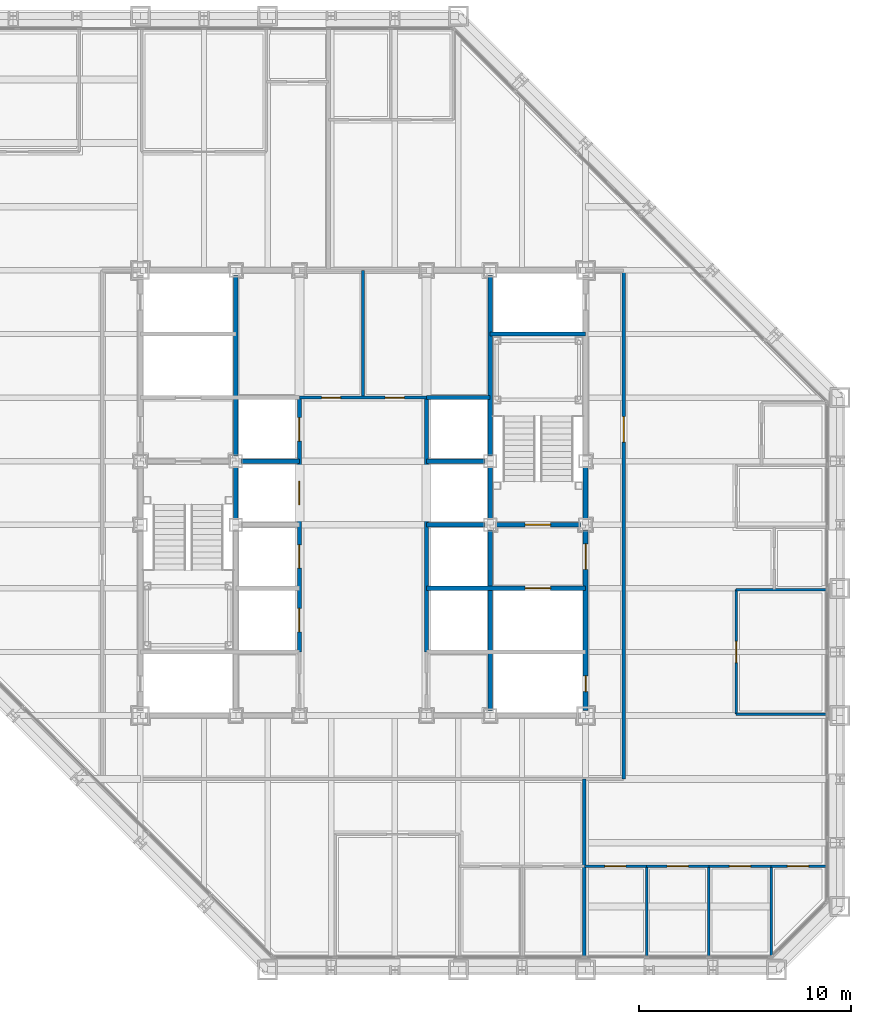
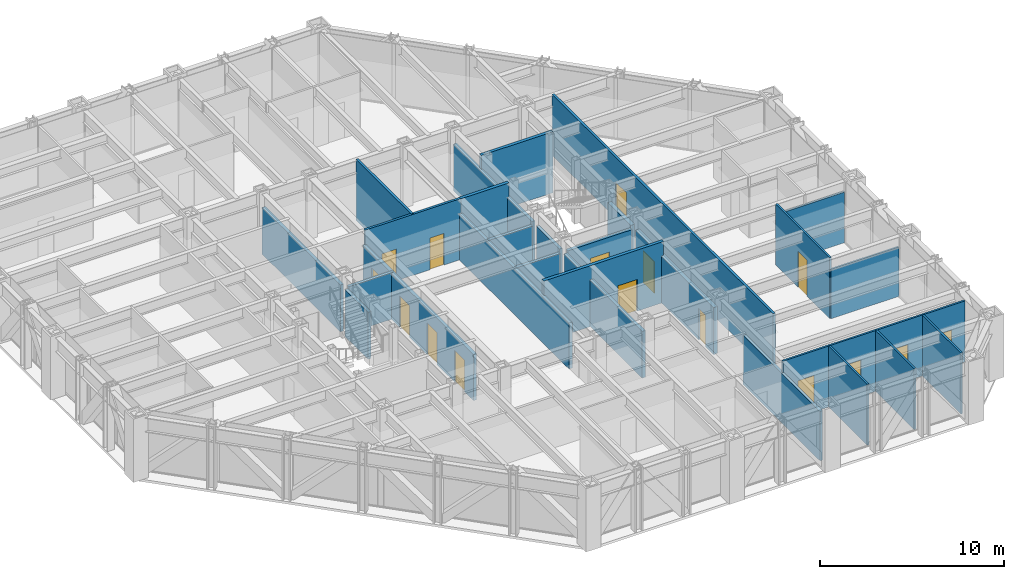
# One storey, part 11 of 16: 30 walls, 16 doors, 16 openings.
"""IFC4 building model written with IfcOpenShell, lengths in metres."""

from ifc_helpers import new_model, si_unit, direction, frame, frame_2d, origin, place, context, subcontext, project, spatial, rectangle, extrude, material, layer, layer_set, type_object, element, fill, save


model = new_model("IFC4")

# Units and contexts
model_context = context("Model", 3, precision=1e-05, world=origin(), true_north=direction((0.0, 1.0)))
body_context = subcontext(model_context, "Body", "Model", "MODEL_VIEW")
ifc_project = project(units=[si_unit("LENGTHUNIT", "METRE"), si_unit("AREAUNIT", "SQUARE_METRE"), si_unit("VOLUMEUNIT", "CUBIC_METRE"), si_unit("PLANEANGLEUNIT", "RADIAN"), si_unit("MASSUNIT", "GRAM", prefix="KILO")], contexts=[model_context])

# Site, building, storey
site_placement = place(None, origin())
site = spatial("IfcSite", under=ifc_project, at=site_placement, CompositionType="ELEMENT")
building_placement = place(site_placement, origin())
building = spatial("IfcBuilding", under=site, at=building_placement, Name="Chuquiago Exchange Tower", CompositionType="ELEMENT")
storey_placement = place(building_placement, frame((0.0, 0.0, 153.0)))
storey = spatial("IfcBuildingStorey", under=building, at=storey_placement, Name="L33", CompositionType="ELEMENT", Elevation=153.0)

# Wall, openings, doors
ifc_material_1 = material(Name="Concrete masonry, fully grouted", Category="masonry")
ifc_layer_1 = layer(ifc_material_1, 0.25)
ifc_layer_set_1 = layer_set([ifc_layer_1], Name="W1 core wall 250")
wall_type_1 = type_object("IfcWallType", Name="W1 core wall 250", PredefinedType="SOLIDWALL", material=ifc_layer_set_1)
wall_1_placement = place(storey_placement, frame((33.0, 12.25, 0.0), z_axis=(0.0, 0.0, 1.0), x_axis=(0.0, 1.0, 0.0)))
wall_1 = element("IfcWall", 1, at=wall_1_placement, inside=storey, type_object=wall_type_1, Name="CW-L33-25-0", PredefinedType="SOLIDWALL", context=body_context, shape_type="SweptSolid", body=[
    extrude(rectangle(XDim=8.5, YDim=0.25, at=frame_2d((4.25, 0.0))), origin(), (0.0, 0.0, 1.0), 3.11279296875),
])
opening_1_placement = place(wall_1_placement, frame((6.64990234375, 0.0, 0.0)))
opening_1 = element("IfcOpeningElement", 2, at=opening_1_placement, cuts=wall_1, Name="Opening L33-004", PredefinedType="OPENING", context=body_context, shape_type="SweptSolid", body=[
    extrude(rectangle(XDim=1.199951171875, YDim=2.10009765625, at=frame_2d((0.60009765625, 1.050048828125))), frame((0.0, 0.135009765625, 0.0), z_axis=(0.0, -1.0, 0.0), x_axis=(1.0, 0.0, 0.0)), (0.0, 0.0, 1.0), 0.27001953125),
])
opening_2_placement = place(wall_1_placement, frame((0.875, 0.0, 0.0)))
opening_2 = element("IfcOpeningElement", 3, at=opening_2_placement, cuts=wall_1, Name="Opening L33-009", PredefinedType="OPENING", context=body_context, shape_type="SweptSolid", body=[
    extrude(rectangle(XDim=0.75, YDim=2.10009765625, at=frame_2d((0.375, 1.050048828125))), frame((0.0, 0.135009765625, 0.0), z_axis=(0.0, -1.0, 0.0), x_axis=(1.0, 0.0, 0.0)), (0.0, 0.0, 1.0), 0.27001953125),
])
ifc_material_2 = material(Name="Steel door, painted", Category="steel")
door_type_1 = type_object("IfcDoorType", Name="D5 firefighting lobby door 1200x2100", OperationType="SINGLE_SWING_LEFT", PredefinedType="DOOR", material=ifc_material_2)
door_1_placement = place(opening_1_placement, origin())
door_1 = element("IfcDoor", 4, at=door_1_placement, inside=storey, type_object=door_type_1, Name="Firefighting lobby 2 door", OperationType="SINGLE_SWING_RIGHT", OverallHeight=2.10009765625, OverallWidth=1.199951171875, PredefinedType="DOOR", context=body_context, shape_type="SweptSolid", body=[
    extrude(rectangle(XDim=1.199951171875, YDim=2.10009765625, at=frame_2d((0.60009765625, 1.050048828125))), frame((0.0, 0.02490234375, 0.0), z_axis=(0.0, -1.0, 0.0), x_axis=(1.0, 0.0, 0.0)), (0.0, 0.0, 1.0), 0.050048828125),
])
fill(opening_1, door_1)
ifc_material_3 = material(Name="Steel door, painted", Category="steel")
door_type_2 = type_object("IfcDoorType", Name="D6 riser access door 750x2100", OperationType="SINGLE_SWING_LEFT", PredefinedType="DOOR", material=ifc_material_3)
door_2_placement = place(opening_2_placement, origin())
door_2 = element("IfcDoor", 5, at=door_2_placement, inside=storey, type_object=door_type_2, Name="Riser RE1 door", OperationType="SINGLE_SWING_LEFT", OverallHeight=2.10009765625, OverallWidth=0.75, PredefinedType="DOOR", context=body_context, shape_type="SweptSolid", body=[
    extrude(rectangle(XDim=0.75, YDim=2.10009765625, at=frame_2d((0.375, 1.050048828125))), frame((0.0, 0.02490234375, 0.0), z_axis=(0.0, -1.0, 0.0), x_axis=(1.0, 0.0, 0.0)), (0.0, 0.0, 1.0), 0.050048828125),
])
fill(opening_2, door_2)

# Wall
wall_2_placement = place(storey_placement, frame((33.0, 21.25, 0.0), z_axis=(0.0, 0.0, 1.0), x_axis=(0.0, 1.0, 0.0)))
element("IfcWall", 6, at=wall_2_placement, inside=storey, type_object=wall_type_1, Name="CW-L33-25-1", PredefinedType="SOLIDWALL", context=body_context, shape_type="SweptSolid", body=[
    extrude(rectangle(XDim=2.5, YDim=0.25, at=frame_2d((1.25, 0.0))), origin(), (0.0, 0.0, 1.0), 3.11279296875),
])

# Wall, opening, door
ifc_material_4 = material(Name="Gypsum board on steel studs, acoustic insulation", Category="steel")
ifc_layer_2 = layer(ifc_material_4, 0.14990234375)
ifc_layer_set_2 = layer_set([ifc_layer_2], Name="W11 corridor wall 150")
wall_type_2 = type_object("IfcWallType", Name="W11 corridor wall 150", PredefinedType="PARTITIONING", material=ifc_layer_set_2)
wall_3_placement = place(storey_placement, frame((34.800048828125, 9.0, 0.0), z_axis=(0.0, 0.0, 1.0), x_axis=(0.0, 1.0, 0.0)))
wall_3 = element("IfcWall", 7, at=wall_3_placement, inside=storey, type_object=wall_type_2, Name="PW-L33-CE", PredefinedType="PARTITIONING", context=body_context, shape_type="SweptSolid", body=[
    extrude(rectangle(XDim=24.0, YDim=0.14990234375, at=frame_2d((12.0, 0.0))), origin(), (0.0, 0.0, 1.0), 4.0400390625),
])
opening_3_placement = place(wall_3_placement, frame((15.89990234375, 0.0, 0.0)))
opening_3 = element("IfcOpeningElement", 8, at=opening_3_placement, cuts=wall_3, Name="Opening L33-041", PredefinedType="OPENING", context=body_context, shape_type="SweptSolid", body=[
    extrude(rectangle(XDim=1.199951171875, YDim=2.39990234375, at=frame_2d((0.60009765625, 1.199951171875))), frame((0.0, 0.0849609375, 0.0), z_axis=(0.0, -1.0, 0.0), x_axis=(1.0, 0.0, 0.0)), (0.0, 0.0, 1.0), 0.169921875),
])
ifc_material_5 = material(Name="Timber door, laminate faced", Category="wood")
door_type_3 = type_object("IfcDoorType", Name="D13 suite entrance door 1200x2400", OperationType="SINGLE_SWING_LEFT", PredefinedType="DOOR", material=ifc_material_5)
door_3_placement = place(opening_3_placement, frame((1.199951171875, 0.0, 0.0), z_axis=(0.0, 0.0, 1.0), x_axis=(-1.0, 0.0, 0.0)))
door_3 = element("IfcDoor", 9, at=door_3_placement, inside=storey, type_object=door_type_3, Name="East suite entrance door", OperationType="SINGLE_SWING_LEFT", OverallHeight=2.39990234375, OverallWidth=1.199951171875, PredefinedType="DOOR", context=body_context, shape_type="SweptSolid", body=[
    extrude(rectangle(XDim=1.199951171875, YDim=2.39990234375, at=frame_2d((0.60009765625, 1.199951171875))), frame((0.0, 0.02490234375, 0.0), z_axis=(0.0, -1.0, 0.0), x_axis=(1.0, 0.0, 0.0)), (0.0, 0.0, 1.0), 0.050048828125),
])
fill(opening_3, door_3)

# Walls
ifc_material_6 = material(Name="Gypsum board on twin steel studs, acoustic insulation", Category="steel")
ifc_layer_3 = layer(ifc_material_6, 0.175048828125)
ifc_layer_set_3 = layer_set([ifc_layer_3], Name="W12 tenant demising wall 175")
wall_type_3 = type_object("IfcWallType", Name="W12 tenant demising wall 175", PredefinedType="PARTITIONING", material=ifc_layer_set_3)
wall_4_placement = place(storey_placement, frame((32.93798828125, 0.652587890625, 0.0), z_axis=(0.0, 0.0, 1.0), x_axis=(0.0, 1.0, 0.0)))
element("IfcWall", 10, at=wall_4_placement, inside=storey, type_object=wall_type_3, Name="PW-L33-DS03294", PredefinedType="PARTITIONING", context=body_context, shape_type="SweptSolid", body=[
    extrude(rectangle(XDim=8.347412109375, YDim=0.175048828125, at=frame_2d((4.173828125, 0.0))), origin(), (0.0, 0.0, 1.0), 3.2705078125),
])
ifc_material_7 = material(Name="Concrete masonry, fully grouted", Category="masonry")
ifc_layer_4 = layer(ifc_material_7, 0.199951171875)
ifc_layer_set_4 = layer_set([ifc_layer_4], Name="W2 shaft wall 200")
wall_type_4 = type_object("IfcWallType", Name="W2 shaft wall 200", PredefinedType="SOLIDWALL", material=ifc_layer_set_4)
for number, where, z_axis, x_axis, name in (
    (11, (16.75, 24.0, 0.0), (0.0, 0.0, 1.0), (1.0, 0.0, 0.0), "CW-L33-05-1"),
    (12, (25.5, 24.0, 0.0), (0.0, 0.0, 1.0), (1.0, 0.0, 0.0), "CW-L33-06-0"),
):
    element("IfcWall", number, at=place(storey_placement, frame(where, z_axis=z_axis, x_axis=x_axis)), inside=storey, type_object=wall_type_4, Name=name, PredefinedType="SOLIDWALL", context=body_context, shape_type="SweptSolid", body=[
        extrude(rectangle(XDim=2.75, YDim=0.199951171875, at=frame_2d((1.375, 0.0))), origin(), (0.0, 0.0, 1.0), 3.090087890625),
    ])
wall_5_placement = place(storey_placement, frame((25.5, 27.0, 0.0), z_axis=(0.0, 0.0, 1.0), x_axis=(1.0, 0.0, 0.0)))
element("IfcWall", 13, at=wall_5_placement, inside=storey, type_object=wall_type_4, Name="CW-L33-08-0", PredefinedType="SOLIDWALL", context=body_context, shape_type="SweptSolid", body=[
    extrude(rectangle(XDim=3.0, YDim=0.199951171875, at=frame_2d((1.5, 0.0))), origin(), (0.0, 0.0, 1.0), 4.0400390625),
])
wall_6_placement = place(storey_placement, frame((28.5, 30.0, 0.0), z_axis=(0.0, 0.0, 1.0), x_axis=(1.0, 0.0, 0.0)))
element("IfcWall", 14, at=wall_6_placement, inside=storey, type_object=wall_type_4, Name="CW-L33-10-0", PredefinedType="SOLIDWALL", context=body_context, shape_type="SweptSolid", body=[
    extrude(rectangle(XDim=4.5, YDim=0.199951171875, at=frame_2d((2.25, 0.0))), origin(), (0.0, 0.0, 1.0), 4.0400390625),
])
wall_7_placement = place(storey_placement, frame((16.5, 21.25, 0.0), z_axis=(0.0, 0.0, 1.0), x_axis=(0.0, 1.0, 0.0)))
element("IfcWall", 15, at=wall_7_placement, inside=storey, type_object=wall_type_4, Name="CW-L33-13-1", PredefinedType="SOLIDWALL", context=body_context, shape_type="SweptSolid", body=[
    extrude(rectangle(XDim=2.5, YDim=0.199951171875, at=frame_2d((1.25, 0.0))), origin(), (0.0, 0.0, 1.0), 3.11279296875),
])
wall_8_placement = place(storey_placement, frame((16.5, 24.25, 0.0), z_axis=(0.0, 0.0, 1.0), x_axis=(0.0, 1.0, 0.0)))
element("IfcWall", 16, at=wall_8_placement, inside=storey, type_object=wall_type_4, Name="CW-L33-13-2", PredefinedType="SOLIDWALL", context=body_context, shape_type="SweptSolid", body=[
    extrude(rectangle(XDim=8.5, YDim=0.199951171875, at=frame_2d((4.25, 0.0))), origin(), (0.0, 0.0, 1.0), 3.11279296875),
])

# Wall, opening, door
wall_9_placement = place(storey_placement, frame((25.5, 18.0, 0.0), z_axis=(0.0, 0.0, 1.0), x_axis=(1.0, 0.0, 0.0)))
wall_9 = element("IfcWall", 17, at=wall_9_placement, inside=storey, type_object=wall_type_4, Name="CW-L33-15-0", PredefinedType="SOLIDWALL", context=body_context, shape_type="SweptSolid", body=[
    extrude(rectangle(XDim=7.5, YDim=0.199951171875, at=frame_2d((3.75, 0.0))), origin(), (0.0, 0.0, 1.0), 4.0400390625),
])
opening_4_placement = place(wall_9_placement, frame((4.64990234375, 0.0, 0.0)))
opening_4 = element("IfcOpeningElement", 18, at=opening_4_placement, cuts=wall_9, Name="Opening L33-006", PredefinedType="OPENING", context=body_context, shape_type="SweptSolid", body=[
    extrude(rectangle(XDim=1.199951171875, YDim=2.10009765625, at=frame_2d((0.60009765625, 1.050048828125))), frame((0.0, 0.10986328125, 0.0), z_axis=(0.0, -1.0, 0.0), x_axis=(1.0, 0.0, 0.0)), (0.0, 0.0, 1.0), 0.219970703125),
])
ifc_material_8 = material(Name="Stainless steel lift landing door", Category="steel")
door_type_4 = type_object("IfcDoorType", Name="LD2 firefighting lift landing door 1200x2100", OperationType="DOUBLE_DOOR_SLIDING", PredefinedType="DOOR", material=ifc_material_8)
door_4_placement = place(opening_4_placement, origin())
door_4 = element("IfcDoor", 19, at=door_4_placement, inside=storey, type_object=door_type_4, Name="Firefighting lift FL2 landing door", OperationType="DOUBLE_DOOR_SLIDING", OverallHeight=2.10009765625, OverallWidth=1.199951171875, PredefinedType="DOOR", context=body_context, shape_type="SweptSolid", body=[
    extrude(rectangle(XDim=1.199951171875, YDim=2.10009765625, at=frame_2d((0.60009765625, 1.050048828125))), frame((0.0, 0.02490234375, 0.0), z_axis=(0.0, -1.0, 0.0), x_axis=(1.0, 0.0, 0.0)), (0.0, 0.0, 1.0), 0.050048828125),
])
fill(opening_4, door_4)

# Wall
wall_10_placement = place(storey_placement, frame((25.5, 21.0, 0.0), z_axis=(0.0, 0.0, 1.0), x_axis=(1.0, 0.0, 0.0)))
element("IfcWall", 20, at=wall_10_placement, inside=storey, type_object=wall_type_4, Name="CW-L33-17-0", PredefinedType="SOLIDWALL", context=body_context, shape_type="SweptSolid", body=[
    extrude(rectangle(XDim=2.75, YDim=0.199951171875, at=frame_2d((1.375, 0.0))), origin(), (0.0, 0.0, 1.0), 3.090087890625),
])

# Wall, opening, door
wall_11_placement = place(storey_placement, frame((28.75, 21.0, 0.0), z_axis=(0.0, 0.0, 1.0), x_axis=(1.0, 0.0, 0.0)))
wall_11 = element("IfcWall", 21, at=wall_11_placement, inside=storey, type_object=wall_type_4, Name="CW-L33-17-1", PredefinedType="SOLIDWALL", context=body_context, shape_type="SweptSolid", body=[
    extrude(rectangle(XDim=4.0, YDim=0.199951171875, at=frame_2d((2.0, 0.0))), origin(), (0.0, 0.0, 1.0), 3.090087890625),
])
opening_5_placement = place(wall_11_placement, frame((1.39990234375, 0.0, 0.0)))
opening_5 = element("IfcOpeningElement", 22, at=opening_5_placement, cuts=wall_11, Name="Opening L33-003", PredefinedType="OPENING", context=body_context, shape_type="SweptSolid", body=[
    extrude(rectangle(XDim=1.199951171875, YDim=2.10009765625, at=frame_2d((0.60009765625, 1.050048828125))), frame((0.0, 0.10986328125, 0.0), z_axis=(0.0, -1.0, 0.0), x_axis=(1.0, 0.0, 0.0)), (0.0, 0.0, 1.0), 0.219970703125),
])
ifc_material_9 = material(Name="Steel door, painted", Category="steel")
door_type_5 = type_object("IfcDoorType", Name="D4 stair door 1200x2100", OperationType="SINGLE_SWING_LEFT", PredefinedType="DOOR", material=ifc_material_9)
door_5_placement = place(opening_5_placement, origin())
door_5 = element("IfcDoor", 23, at=door_5_placement, inside=storey, type_object=door_type_5, Name="Stair ST2 door", OperationType="SINGLE_SWING_LEFT", OverallHeight=2.10009765625, OverallWidth=1.199951171875, PredefinedType="DOOR", context=body_context, shape_type="SweptSolid", body=[
    extrude(rectangle(XDim=1.199951171875, YDim=2.10009765625, at=frame_2d((0.60009765625, 1.050048828125))), frame((0.0, 0.02490234375, 0.0), z_axis=(0.0, -1.0, 0.0), x_axis=(1.0, 0.0, 0.0)), (0.0, 0.0, 1.0), 0.050048828125),
])
fill(opening_5, door_5)

# Wall, openings, doors
wall_12_placement = place(storey_placement, frame((19.5, 15.0, 0.0), z_axis=(0.0, 0.0, 1.0), x_axis=(0.0, 1.0, 0.0)))
wall_12 = element("IfcWall", 24, at=wall_12_placement, inside=storey, type_object=wall_type_4, Name="CW-L33-19-0", PredefinedType="SOLIDWALL", context=body_context, shape_type="SweptSolid", body=[
    extrude(rectangle(XDim=12.0, YDim=0.199951171875, at=frame_2d((6.0, 0.0))), origin(), (0.0, 0.0, 1.0), 3.064697265625),
])
opening_6_placement = place(wall_12_placement, frame((0.949951171875, 0.0, 0.0)))
opening_6 = element("IfcOpeningElement", 25, at=opening_6_placement, cuts=wall_12, Name="Opening L33-015", PredefinedType="OPENING", context=body_context, shape_type="SweptSolid", body=[
    extrude(rectangle(XDim=1.10009765625, YDim=2.10009765625, at=frame_2d((0.550048828125, 1.050048828125))), frame((0.0, 0.10986328125, 0.0), z_axis=(0.0, -1.0, 0.0), x_axis=(1.0, 0.0, 0.0)), (0.0, 0.0, 1.0), 0.219970703125),
])
opening_7_placement = place(wall_12_placement, frame((3.949951171875, 0.0, 0.0)))
opening_7 = element("IfcOpeningElement", 26, at=opening_7_placement, cuts=wall_12, Name="Opening L33-016", PredefinedType="OPENING", context=body_context, shape_type="SweptSolid", body=[
    extrude(rectangle(XDim=1.10009765625, YDim=2.10009765625, at=frame_2d((0.550048828125, 1.050048828125))), frame((0.0, 0.10986328125, 0.0), z_axis=(0.0, -1.0, 0.0), x_axis=(1.0, 0.0, 0.0)), (0.0, 0.0, 1.0), 0.219970703125),
])
opening_8_placement = place(wall_12_placement, frame((6.949951171875, 0.0, 0.0)))
opening_8 = element("IfcOpeningElement", 27, at=opening_8_placement, cuts=wall_12, Name="Opening L33-017", PredefinedType="OPENING", context=body_context, shape_type="SweptSolid", body=[
    extrude(rectangle(XDim=1.10009765625, YDim=2.10009765625, at=frame_2d((0.550048828125, 1.050048828125))), frame((0.0, 0.10986328125, 0.0), z_axis=(0.0, -1.0, 0.0), x_axis=(1.0, 0.0, 0.0)), (0.0, 0.0, 1.0), 0.219970703125),
])
opening_9_placement = place(wall_12_placement, frame((9.949951171875, 0.0, 0.0)))
opening_9 = element("IfcOpeningElement", 28, at=opening_9_placement, cuts=wall_12, Name="Opening L33-018", PredefinedType="OPENING", context=body_context, shape_type="SweptSolid", body=[
    extrude(rectangle(XDim=1.10009765625, YDim=2.10009765625, at=frame_2d((0.550048828125, 1.050048828125))), frame((0.0, 0.10986328125, 0.0), z_axis=(0.0, -1.0, 0.0), x_axis=(1.0, 0.0, 0.0)), (0.0, 0.0, 1.0), 0.219970703125),
])
ifc_material_10 = material(Name="Stainless steel lift landing door", Category="steel")
door_type_6 = type_object("IfcDoorType", Name="LD1 lift landing door 1100x2100", OperationType="DOUBLE_DOOR_SLIDING", PredefinedType="DOOR", material=ifc_material_10)
door_6_placement = place(opening_6_placement, origin())
door_6 = element("IfcDoor", 29, at=door_6_placement, inside=storey, type_object=door_type_6, Name="Lift LB1 landing door", OperationType="DOUBLE_DOOR_SLIDING", OverallHeight=2.10009765625, OverallWidth=1.10009765625, PredefinedType="DOOR", context=body_context, shape_type="SweptSolid", body=[
    extrude(rectangle(XDim=1.10009765625, YDim=2.10009765625, at=frame_2d((0.550048828125, 1.050048828125))), frame((0.0, 0.02490234375, 0.0), z_axis=(0.0, -1.0, 0.0), x_axis=(1.0, 0.0, 0.0)), (0.0, 0.0, 1.0), 0.050048828125),
])
fill(opening_6, door_6)
door_7_placement = place(opening_7_placement, origin())
door_7 = element("IfcDoor", 30, at=door_7_placement, inside=storey, type_object=door_type_6, Name="Lift LB2 landing door", OperationType="DOUBLE_DOOR_SLIDING", OverallHeight=2.10009765625, OverallWidth=1.10009765625, PredefinedType="DOOR", context=body_context, shape_type="SweptSolid", body=[
    extrude(rectangle(XDim=1.10009765625, YDim=2.10009765625, at=frame_2d((0.550048828125, 1.050048828125))), frame((0.0, 0.02490234375, 0.0), z_axis=(0.0, -1.0, 0.0), x_axis=(1.0, 0.0, 0.0)), (0.0, 0.0, 1.0), 0.050048828125),
])
fill(opening_7, door_7)
door_8_placement = place(opening_8_placement, origin())
door_8 = element("IfcDoor", 31, at=door_8_placement, inside=storey, type_object=door_type_6, Name="Lift LB3 landing door", OperationType="DOUBLE_DOOR_SLIDING", OverallHeight=2.10009765625, OverallWidth=1.10009765625, PredefinedType="DOOR", context=body_context, shape_type="SweptSolid", body=[
    extrude(rectangle(XDim=1.10009765625, YDim=2.10009765625, at=frame_2d((0.550048828125, 1.050048828125))), frame((0.0, 0.02490234375, 0.0), z_axis=(0.0, -1.0, 0.0), x_axis=(1.0, 0.0, 0.0)), (0.0, 0.0, 1.0), 0.050048828125),
])
fill(opening_8, door_8)
door_9_placement = place(opening_9_placement, origin())
door_9 = element("IfcDoor", 32, at=door_9_placement, inside=storey, type_object=door_type_6, Name="Lift LB4 landing door", OperationType="DOUBLE_DOOR_SLIDING", OverallHeight=2.10009765625, OverallWidth=1.10009765625, PredefinedType="DOOR", context=body_context, shape_type="SweptSolid", body=[
    extrude(rectangle(XDim=1.10009765625, YDim=2.10009765625, at=frame_2d((0.550048828125, 1.050048828125))), frame((0.0, 0.02490234375, 0.0), z_axis=(0.0, -1.0, 0.0), x_axis=(1.0, 0.0, 0.0)), (0.0, 0.0, 1.0), 0.050048828125),
])
fill(opening_9, door_9)

# Walls
wall_13_placement = place(storey_placement, frame((25.5, 15.0, 0.0), z_axis=(0.0, 0.0, 1.0), x_axis=(0.0, 1.0, 0.0)))
element("IfcWall", 33, at=wall_13_placement, inside=storey, type_object=wall_type_4, Name="CW-L33-22-0", PredefinedType="SOLIDWALL", context=body_context, shape_type="SweptSolid", body=[
    extrude(rectangle(XDim=12.0, YDim=0.199951171875, at=frame_2d((6.0, 0.0))), origin(), (0.0, 0.0, 1.0), 3.064697265625),
])
wall_14_placement = place(storey_placement, frame((28.5, 12.25, 0.0), z_axis=(0.0, 0.0, 1.0), x_axis=(0.0, 1.0, 0.0)))
element("IfcWall", 34, at=wall_14_placement, inside=storey, type_object=wall_type_4, Name="CW-L33-24-0", PredefinedType="SOLIDWALL", context=body_context, shape_type="SweptSolid", body=[
    extrude(rectangle(XDim=8.5, YDim=0.199951171875, at=frame_2d((4.25, 0.0))), origin(), (0.0, 0.0, 1.0), 3.11279296875),
])
wall_15_placement = place(storey_placement, frame((28.5, 21.25, 0.0), z_axis=(0.0, 0.0, 1.0), x_axis=(0.0, 1.0, 0.0)))
element("IfcWall", 35, at=wall_15_placement, inside=storey, type_object=wall_type_4, Name="CW-L33-24-1", PredefinedType="SOLIDWALL", context=body_context, shape_type="SweptSolid", body=[
    extrude(rectangle(XDim=2.5, YDim=0.199951171875, at=frame_2d((1.25, 0.0))), origin(), (0.0, 0.0, 1.0), 3.11279296875),
])
wall_16_placement = place(storey_placement, frame((28.5, 24.25, 0.0), z_axis=(0.0, 0.0, 1.0), x_axis=(0.0, 1.0, 0.0)))
element("IfcWall", 36, at=wall_16_placement, inside=storey, type_object=wall_type_4, Name="CW-L33-24-2", PredefinedType="SOLIDWALL", context=body_context, shape_type="SweptSolid", body=[
    extrude(rectangle(XDim=8.5, YDim=0.199951171875, at=frame_2d((4.25, 0.0))), origin(), (0.0, 0.0, 1.0), 3.11279296875),
])

# Wall, openings, doors
ifc_material_11 = material(Name="Gypsum board on steel studs", Category="steel")
ifc_layer_5 = layer(ifc_material_11, 0.14990234375)
ifc_layer_set_5 = layer_set([ifc_layer_5], Name="W3 core partition 150")
wall_type_5 = type_object("IfcWallType", Name="W3 core partition 150", PredefinedType="PARTITIONING", material=ifc_layer_set_5)
wall_17_placement = place(storey_placement, frame((19.5, 27.0, 0.0), z_axis=(0.0, 0.0, 1.0), x_axis=(1.0, 0.0, 0.0)))
wall_17 = element("IfcWall", 37, at=wall_17_placement, inside=storey, type_object=wall_type_5, Name="CW-L33-TF", PredefinedType="PARTITIONING", context=body_context, shape_type="SweptSolid", body=[
    extrude(rectangle(XDim=6.0, YDim=0.14990234375, at=frame_2d((3.0, 0.0))), origin(), (0.0, 0.0, 1.0), 4.0400390625),
])
opening_10_placement = place(wall_17_placement, frame((1.050048828125, 0.0, 0.0)))
opening_10 = element("IfcOpeningElement", 38, at=opening_10_placement, cuts=wall_17, Name="Opening L33-011", PredefinedType="OPENING", context=body_context, shape_type="SweptSolid", body=[
    extrude(rectangle(XDim=0.89990234375, YDim=2.10009765625, at=frame_2d((0.449951171875, 1.050048828125))), frame((0.0, 0.0849609375, 0.0), z_axis=(0.0, -1.0, 0.0), x_axis=(1.0, 0.0, 0.0)), (0.0, 0.0, 1.0), 0.169921875),
])
opening_11_placement = place(wall_17_placement, frame((4.050048828125, 0.0, 0.0)))
opening_11 = element("IfcOpeningElement", 39, at=opening_11_placement, cuts=wall_17, Name="Opening L33-012", PredefinedType="OPENING", context=body_context, shape_type="SweptSolid", body=[
    extrude(rectangle(XDim=0.89990234375, YDim=2.10009765625, at=frame_2d((0.449951171875, 1.050048828125))), frame((0.0, 0.0849609375, 0.0), z_axis=(0.0, -1.0, 0.0), x_axis=(1.0, 0.0, 0.0)), (0.0, 0.0, 1.0), 0.169921875),
])
ifc_material_12 = material(Name="Timber door, laminate faced", Category="wood")
door_type_7 = type_object("IfcDoorType", Name="D7 toilet door 900x2100", OperationType="SINGLE_SWING_LEFT", PredefinedType="DOOR", material=ifc_material_12)
door_10_placement = place(opening_10_placement, origin())
door_10 = element("IfcDoor", 40, at=door_10_placement, inside=storey, type_object=door_type_7, Name="Male WC door", OperationType="SINGLE_SWING_RIGHT", OverallHeight=2.10009765625, OverallWidth=0.89990234375, PredefinedType="DOOR", context=body_context, shape_type="SweptSolid", body=[
    extrude(rectangle(XDim=0.89990234375, YDim=2.10009765625, at=frame_2d((0.449951171875, 1.050048828125))), frame((0.0, 0.02490234375, 0.0), z_axis=(0.0, -1.0, 0.0), x_axis=(1.0, 0.0, 0.0)), (0.0, 0.0, 1.0), 0.050048828125),
])
fill(opening_10, door_10)
door_11_placement = place(opening_11_placement, origin())
door_11 = element("IfcDoor", 41, at=door_11_placement, inside=storey, type_object=door_type_7, Name="Female WC door", OperationType="SINGLE_SWING_LEFT", OverallHeight=2.10009765625, OverallWidth=0.89990234375, PredefinedType="DOOR", context=body_context, shape_type="SweptSolid", body=[
    extrude(rectangle(XDim=0.89990234375, YDim=2.10009765625, at=frame_2d((0.449951171875, 1.050048828125))), frame((0.0, 0.02490234375, 0.0), z_axis=(0.0, -1.0, 0.0), x_axis=(1.0, 0.0, 0.0)), (0.0, 0.0, 1.0), 0.050048828125),
])
fill(opening_11, door_11)

# Walls
wall_18_placement = place(storey_placement, frame((22.5, 27.0, 0.0), z_axis=(0.0, 0.0, 1.0), x_axis=(0.0, 1.0, 0.0)))
element("IfcWall", 42, at=wall_18_placement, inside=storey, type_object=wall_type_5, Name="CW-L33-TM", PredefinedType="PARTITIONING", context=body_context, shape_type="SweptSolid", body=[
    extrude(rectangle(XDim=6.0, YDim=0.14990234375, at=frame_2d((3.0, 0.0))), origin(), (0.0, 0.0, 1.0), 4.0400390625),
])
ifc_material_13 = material(Name="Gypsum board on steel studs", Category="steel")
ifc_layer_6 = layer(ifc_material_13, 0.1201171875)
ifc_layer_set_6 = layer_set([ifc_layer_6], Name="W4 partition 120")
wall_type_6 = type_object("IfcWallType", Name="W4 partition 120", PredefinedType="PARTITIONING", material=ifc_layer_set_6)
for number, where, z_axis, x_axis, name in (
    (43, (35.875732421875, 0.652587890625, 0.0), (0.0, 0.0, 1.0), (0.0, 1.0, 0.0), "PW-L33-S03588"),
    (44, (38.813720703125, 0.652587890625, 0.0), (0.0, 0.0, 1.0), (0.0, 1.0, 0.0), "PW-L33-S03881"),
):
    element("IfcWall", number, at=place(storey_placement, frame(where, z_axis=z_axis, x_axis=x_axis)), inside=storey, type_object=wall_type_6, Name=name, PredefinedType="PARTITIONING", context=body_context, shape_type="SweptSolid", body=[
        extrude(rectangle(XDim=4.247314453125, YDim=0.1201171875, at=frame_2d((2.12353515625, 0.0))), origin(), (0.0, 0.0, 1.0), 4.0400390625),
    ])
wall_19_placement = place(storey_placement, frame((41.75146484375, 0.666015625, 0.0), z_axis=(0.0, 0.0, 1.0), x_axis=(0.0, 1.0, 0.0)))
element("IfcWall", 45, at=wall_19_placement, inside=storey, type_object=wall_type_6, Name="PW-L33-S04175", PredefinedType="PARTITIONING", context=body_context, shape_type="SweptSolid", body=[
    extrude(rectangle(XDim=4.23388671875, YDim=0.1201171875, at=frame_2d((2.116943359375, 0.0))), origin(), (0.0, 0.0, 1.0), 4.0400390625),
])

# Wall, opening, door
wall_20_placement = place(storey_placement, frame((32.93798828125, 4.89990234375, 0.0), z_axis=(0.0, 0.0, 1.0), x_axis=(1.0, 0.0, 0.0)))
wall_20 = element("IfcWall", 46, at=wall_20_placement, inside=storey, type_object=wall_type_6, Name="PW-L33-SF03294", PredefinedType="PARTITIONING", context=body_context, shape_type="SweptSolid", body=[
    extrude(rectangle(XDim=2.937744140625, YDim=0.1201171875, at=frame_2d((1.46875, 0.0))), origin(), (0.0, 0.0, 1.0), 4.0400390625),
])
opening_12_placement = place(wall_20_placement, frame((0.968994140625, 0.0, 0.0)))
opening_12 = element("IfcOpeningElement", 47, at=opening_12_placement, cuts=wall_20, Name="Opening L33-022", PredefinedType="OPENING", context=body_context, shape_type="SweptSolid", body=[
    extrude(rectangle(XDim=1.0, YDim=2.39990234375, at=frame_2d((0.5, 1.199951171875))), frame((0.0, 0.070068359375, 0.0), z_axis=(0.0, -1.0, 0.0), x_axis=(1.0, 0.0, 0.0)), (0.0, 0.0, 1.0), 0.14013671875),
])
ifc_material_14 = material(Name="Timber door, laminate faced", Category="wood")
door_type_8 = type_object("IfcDoorType", Name="D9 room door 1000x2400", OperationType="SINGLE_SWING_LEFT", PredefinedType="DOOR", material=ifc_material_14)
door_12_placement = place(opening_12_placement, frame((1.0, 0.0, 0.0), z_axis=(0.0, 0.0, 1.0), x_axis=(-1.0, 0.0, 0.0)))
door_12 = element("IfcDoor", 48, at=door_12_placement, inside=storey, type_object=door_type_8, Name="Office door", OperationType="SINGLE_SWING_RIGHT", OverallHeight=2.39990234375, OverallWidth=1.0, PredefinedType="DOOR", context=body_context, shape_type="SweptSolid", body=[
    extrude(rectangle(XDim=1.0, YDim=2.39990234375, at=frame_2d((0.5, 1.199951171875))), frame((0.0, 0.02490234375, 0.0), z_axis=(0.0, -1.0, 0.0), x_axis=(1.0, 0.0, 0.0)), (0.0, 0.0, 1.0), 0.050048828125),
])
fill(opening_12, door_12)

wall_21_placement = place(storey_placement, frame((35.875732421875, 4.89990234375, 0.0), z_axis=(0.0, 0.0, 1.0), x_axis=(1.0, 0.0, 0.0)))
wall_21 = element("IfcWall", 49, at=wall_21_placement, inside=storey, type_object=wall_type_6, Name="PW-L33-SF03588", PredefinedType="PARTITIONING", context=body_context, shape_type="SweptSolid", body=[
    extrude(rectangle(XDim=2.93798828125, YDim=0.1201171875, at=frame_2d((1.468994140625, 0.0))), origin(), (0.0, 0.0, 1.0), 4.0400390625),
])
opening_13_placement = place(wall_21_placement, frame((0.968994140625, 0.0, 0.0)))
opening_13 = element("IfcOpeningElement", 50, at=opening_13_placement, cuts=wall_21, Name="Opening L33-023", PredefinedType="OPENING", context=body_context, shape_type="SweptSolid", body=[
    extrude(rectangle(XDim=1.0, YDim=2.39990234375, at=frame_2d((0.5, 1.199951171875))), frame((0.0, 0.070068359375, 0.0), z_axis=(0.0, -1.0, 0.0), x_axis=(1.0, 0.0, 0.0)), (0.0, 0.0, 1.0), 0.14013671875),
])
door_13_placement = place(opening_13_placement, frame((1.0, 0.0, 0.0), z_axis=(0.0, 0.0, 1.0), x_axis=(-1.0, 0.0, 0.0)))
door_13 = element("IfcDoor", 51, at=door_13_placement, inside=storey, type_object=door_type_8, Name="Office door", OperationType="SINGLE_SWING_RIGHT", OverallHeight=2.39990234375, OverallWidth=1.0, PredefinedType="DOOR", context=body_context, shape_type="SweptSolid", body=[
    extrude(rectangle(XDim=1.0, YDim=2.39990234375, at=frame_2d((0.5, 1.199951171875))), frame((0.0, 0.02490234375, 0.0), z_axis=(0.0, -1.0, 0.0), x_axis=(1.0, 0.0, 0.0)), (0.0, 0.0, 1.0), 0.050048828125),
])
fill(opening_13, door_13)

wall_22_placement = place(storey_placement, frame((38.813720703125, 4.89990234375, 0.0), z_axis=(0.0, 0.0, 1.0), x_axis=(1.0, 0.0, 0.0)))
wall_22 = element("IfcWall", 52, at=wall_22_placement, inside=storey, type_object=wall_type_6, Name="PW-L33-SF03881", PredefinedType="PARTITIONING", context=body_context, shape_type="SweptSolid", body=[
    extrude(rectangle(XDim=2.937744140625, YDim=0.1201171875, at=frame_2d((1.46875, 0.0))), origin(), (0.0, 0.0, 1.0), 4.0400390625),
])
opening_14_placement = place(wall_22_placement, frame((0.968994140625, 0.0, 0.0)))
opening_14 = element("IfcOpeningElement", 53, at=opening_14_placement, cuts=wall_22, Name="Opening L33-024", PredefinedType="OPENING", context=body_context, shape_type="SweptSolid", body=[
    extrude(rectangle(XDim=1.0, YDim=2.39990234375, at=frame_2d((0.5, 1.199951171875))), frame((0.0, 0.070068359375, 0.0), z_axis=(0.0, -1.0, 0.0), x_axis=(1.0, 0.0, 0.0)), (0.0, 0.0, 1.0), 0.14013671875),
])
door_14_placement = place(opening_14_placement, frame((1.0, 0.0, 0.0), z_axis=(0.0, 0.0, 1.0), x_axis=(-1.0, 0.0, 0.0)))
door_14 = element("IfcDoor", 54, at=door_14_placement, inside=storey, type_object=door_type_8, Name="Office door", OperationType="SINGLE_SWING_RIGHT", OverallHeight=2.39990234375, OverallWidth=1.0, PredefinedType="DOOR", context=body_context, shape_type="SweptSolid", body=[
    extrude(rectangle(XDim=1.0, YDim=2.39990234375, at=frame_2d((0.5, 1.199951171875))), frame((0.0, 0.02490234375, 0.0), z_axis=(0.0, -1.0, 0.0), x_axis=(1.0, 0.0, 0.0)), (0.0, 0.0, 1.0), 0.050048828125),
])
fill(opening_14, door_14)

wall_23_placement = place(storey_placement, frame((41.75146484375, 4.89990234375, 0.0), z_axis=(0.0, 0.0, 1.0), x_axis=(1.0, 0.0, 0.0)))
wall_23 = element("IfcWall", 55, at=wall_23_placement, inside=storey, type_object=wall_type_6, Name="PW-L33-SF04175", PredefinedType="PARTITIONING", context=body_context, shape_type="SweptSolid", body=[
    extrude(rectangle(XDim=2.616455078125, YDim=0.1201171875, at=frame_2d((1.30810546875, 0.0))), origin(), (0.0, 0.0, 1.0), 4.0400390625),
])
opening_15_placement = place(wall_23_placement, frame((0.774169921875, 0.0, 0.0)))
opening_15 = element("IfcOpeningElement", 56, at=opening_15_placement, cuts=wall_23, Name="Opening L33-025", PredefinedType="OPENING", context=body_context, shape_type="SweptSolid", body=[
    extrude(rectangle(XDim=1.0, YDim=2.39990234375, at=frame_2d((0.5, 1.199951171875))), frame((0.0, 0.070068359375, 0.0), z_axis=(0.0, -1.0, 0.0), x_axis=(1.0, 0.0, 0.0)), (0.0, 0.0, 1.0), 0.14013671875),
])
ifc_material_15 = material(Name="Timber frame door, full height glazed panel", Category="wood")
door_type_9 = type_object("IfcDoorType", Name="D14 glazed meeting room door 1000x2400", OperationType="SINGLE_SWING_LEFT", PredefinedType="DOOR", material=ifc_material_15)
door_15_placement = place(opening_15_placement, frame((1.0, 0.0, 0.0), z_axis=(0.0, 0.0, 1.0), x_axis=(-1.0, 0.0, 0.0)))
door_15 = element("IfcDoor", 57, at=door_15_placement, inside=storey, type_object=door_type_9, Name="Meeting room door", OperationType="SINGLE_SWING_RIGHT", OverallHeight=2.39990234375, OverallWidth=1.0, PredefinedType="DOOR", context=body_context, shape_type="SweptSolid", body=[
    extrude(rectangle(XDim=1.0, YDim=2.39990234375, at=frame_2d((0.5, 1.199951171875))), frame((0.0, 0.02490234375, 0.0), z_axis=(0.0, -1.0, 0.0), x_axis=(1.0, 0.0, 0.0)), (0.0, 0.0, 1.0), 0.050048828125),
])
fill(opening_15, door_15)

# Walls
wall_24_placement = place(storey_placement, frame((44.347412109375, 12.06201171875, 0.0), z_axis=(0.0, 0.0, 1.0), x_axis=(-1.0, 0.0, 0.0)))
element("IfcWall", 58, at=wall_24_placement, inside=storey, type_object=wall_type_6, Name="PW-L33-E01206", PredefinedType="PARTITIONING", context=body_context, shape_type="SweptSolid", body=[
    extrude(rectangle(XDim=4.247314453125, YDim=0.1201171875, at=frame_2d((2.12353515625, 0.0))), origin(), (0.0, 0.0, 1.0), 3.2705078125),
])
wall_25_placement = place(storey_placement, frame((44.347412109375, 17.93798828125, 0.0), z_axis=(0.0, 0.0, 1.0), x_axis=(-1.0, 0.0, 0.0)))
element("IfcWall", 59, at=wall_25_placement, inside=storey, type_object=wall_type_6, Name="PW-L33-E01794", PredefinedType="PARTITIONING", context=body_context, shape_type="SweptSolid", body=[
    extrude(rectangle(XDim=4.247314453125, YDim=0.1201171875, at=frame_2d((2.12353515625, 0.0))), origin(), (0.0, 0.0, 1.0), 3.356689453125),
])

# Wall, opening, door
wall_26_placement = place(storey_placement, frame((40.10009765625, 12.06201171875, 0.0), z_axis=(0.0, 0.0, 1.0), x_axis=(0.0, 1.0, 0.0)))
wall_26 = element("IfcWall", 60, at=wall_26_placement, inside=storey, type_object=wall_type_6, Name="PW-L33-EF01206", PredefinedType="PARTITIONING", context=body_context, shape_type="SweptSolid", body=[
    extrude(rectangle(XDim=5.8759765625, YDim=0.1201171875, at=frame_2d((2.93798828125, 0.0))), origin(), (0.0, 0.0, 1.0), 4.0400390625),
])
opening_16_placement = place(wall_26_placement, frame((2.43798828125, 0.0, 0.0)))
opening_16 = element("IfcOpeningElement", 61, at=opening_16_placement, cuts=wall_26, Name="Opening L33-026", PredefinedType="OPENING", context=body_context, shape_type="SweptSolid", body=[
    extrude(rectangle(XDim=1.0, YDim=2.39990234375, at=frame_2d((0.5, 1.199951171875))), frame((0.0, 0.070068359375, 0.0), z_axis=(0.0, -1.0, 0.0), x_axis=(1.0, 0.0, 0.0)), (0.0, 0.0, 1.0), 0.14013671875),
])
door_16_placement = place(opening_16_placement, frame((1.0, 0.0, 0.0), z_axis=(0.0, 0.0, 1.0), x_axis=(-1.0, 0.0, 0.0)))
door_16 = element("IfcDoor", 62, at=door_16_placement, inside=storey, type_object=door_type_9, Name="Meeting room door", OperationType="SINGLE_SWING_RIGHT", OverallHeight=2.39990234375, OverallWidth=1.0, PredefinedType="DOOR", context=body_context, shape_type="SweptSolid", body=[
    extrude(rectangle(XDim=1.0, YDim=2.39990234375, at=frame_2d((0.5, 1.199951171875))), frame((0.0, 0.02490234375, 0.0), z_axis=(0.0, -1.0, 0.0), x_axis=(1.0, 0.0, 0.0)), (0.0, 0.0, 1.0), 0.050048828125),
])
fill(opening_16, door_16)

save(model, "model.ifc")
